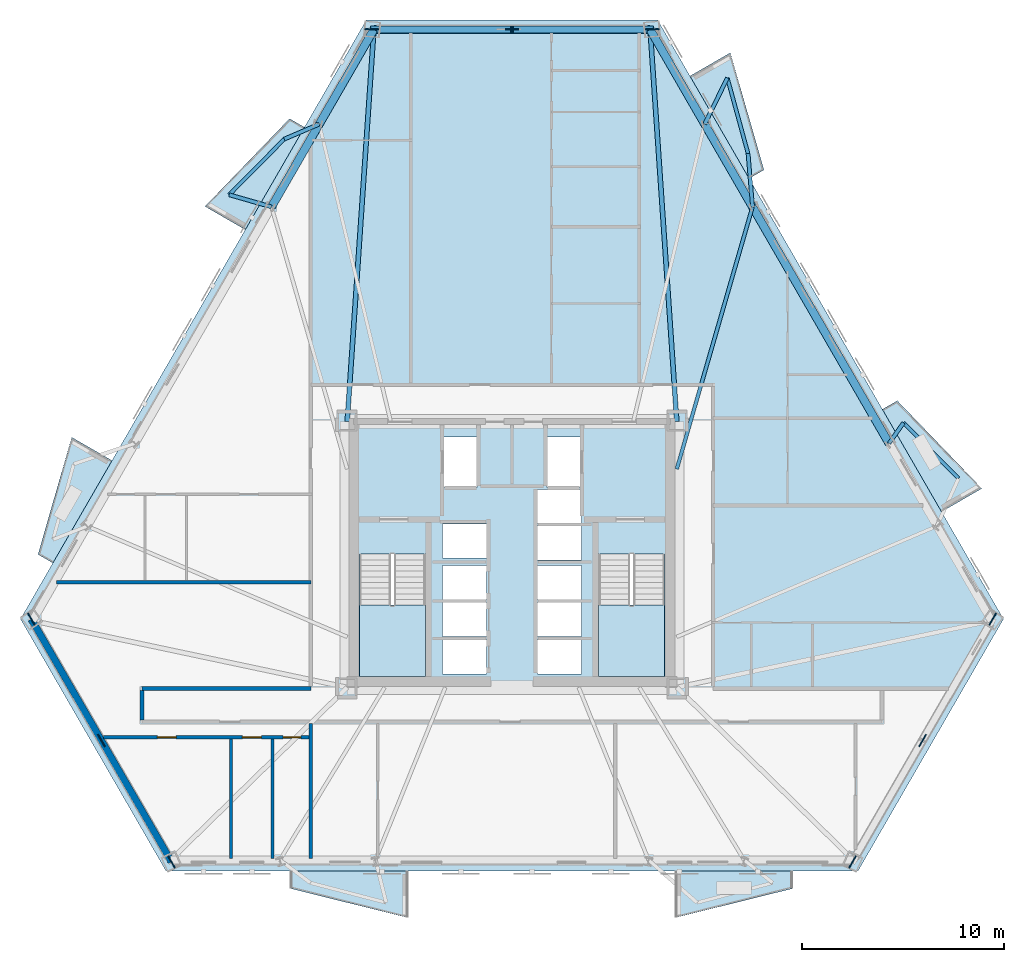
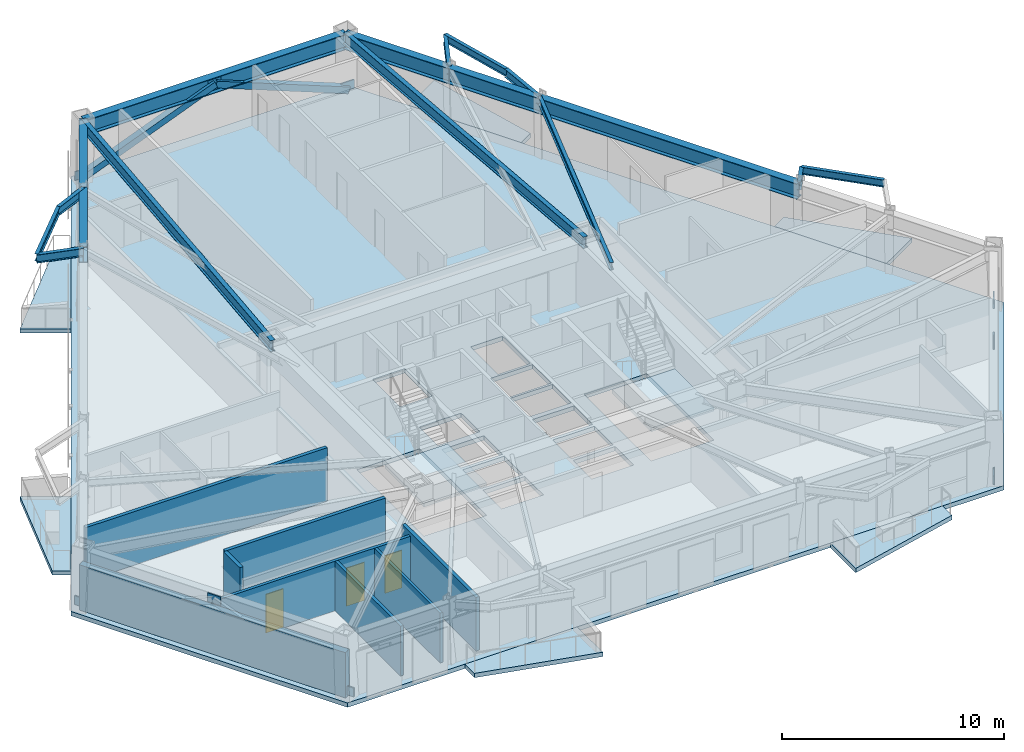
# One storey, part 2 of 10: 17 beams, 9 plates, 9 slabs, 8 walls, 3 doors, 2 members, 3 openings, 2 elements without a shape of their own.
"""IFC4 building model written with IfcOpenShell, lengths in metres."""

from ifc_helpers import new_model, si_unit, direction, frame, frame_2d, origin, origin_2d, place, context, subcontext, project, spatial, polyline, rectangle, hollow_rectangle, i_section, outline, extrude, material, layer, layer_set, material_profile, profile_set, type_object, element, fill, aggregate, save


model = new_model("IFC4")

# Units and contexts
model_context = context("Model", 3, precision=1e-05, world=origin(), true_north=direction((0.0, 1.0)))
body_context = subcontext(model_context, "Body", "Model", "MODEL_VIEW")
ifc_project = project(units=[si_unit("LENGTHUNIT", "METRE"), si_unit("AREAUNIT", "SQUARE_METRE"), si_unit("VOLUMEUNIT", "CUBIC_METRE"), si_unit("PLANEANGLEUNIT", "RADIAN"), si_unit("MASSUNIT", "GRAM", prefix="KILO")], contexts=[model_context])

# Site, building, storey
site_placement = place(None, origin())
site = spatial("IfcSite", under=ifc_project, at=site_placement, CompositionType="ELEMENT")
building_placement = place(site_placement, origin())
building = spatial("IfcBuilding", under=site, at=building_placement, Name="Oramaril Tower", CompositionType="ELEMENT")
storey_placement = place(building_placement, frame((0.0, 0.0, 63.300048828125)))
storey = spatial("IfcBuildingStorey", under=building, at=storey_placement, Name="L16", CompositionType="ELEMENT", Elevation=63.300048828125)

# Beams
ifc_material_1 = material(Name="Steel ASTM A572 Gr 50", Category="steel")
ifc_material_profile_1 = material_profile(ifc_material_1, i_section(OverallWidth=0.19091796875, OverallDepth=0.45703125, WebThickness=0.009033203125, FlangeThickness=0.014404296875, at=origin_2d()), Name="W18X50")
ifc_profile_set_1 = profile_set([ifc_material_profile_1], Name="Steel ASTM A572 Gr 50")
beam_type_1 = type_object("IfcBeamType", Name="BT-BB1", PredefinedType="BEAM", material=ifc_profile_set_1)
beam_1_placement = place(storey_placement, frame((56.14794921875, 23.069091796875, 3.13134765625), z_axis=(0.572804110253, 0.819692290605, 0.0), x_axis=(-0.819692290605, 0.572804110253, 0.0)))
element("IfcBeam", 1, at=beam_1_placement, inside=storey, type_object=beam_type_1, Name="L16 Balcony Column-Framed Cantilever 03.2", PredefinedType="BEAM", context=body_context, shape_type="SweptSolid", body=[
    extrude(i_section(OverallWidth=0.19091796875, OverallDepth=0.45703125, WebThickness=0.009033203125, FlangeThickness=0.014404296875, at=origin_2d()), origin(), (0.0, 0.0, 1.0), 1.244873046875),
])
beam_2_placement = place(storey_placement, frame((49.395263671875, 34.76513671875, 3.13134765625), z_axis=(-0.08375461363, 0.996486409689, 0.0), x_axis=(-0.996486409689, -0.08375461363, 0.0)))
element("IfcBeam", 2, at=beam_2_placement, inside=storey, type_object=beam_type_1, Name="L16 Balcony Column-Framed Cantilever 04.1", PredefinedType="BEAM", context=body_context, shape_type="SweptSolid", body=[
    extrude(i_section(OverallWidth=0.19091796875, OverallDepth=0.45703125, WebThickness=0.009033203125, FlangeThickness=0.014404296875, at=origin_2d()), origin(), (0.0, 0.0, 1.0), 2.649658203125),
])
beam_3_placement = place(storey_placement, frame((47.03173828125, 38.858642578125, 3.13134765625), z_axis=(0.440430843504, 0.897786540382, 0.0), x_axis=(-0.897786540382, 0.440430843504, 0.0)))
element("IfcBeam", 3, at=beam_3_placement, inside=storey, type_object=beam_type_1, Name="L16 Balcony Column-Framed Cantilever 04.2", PredefinedType="BEAM", context=body_context, shape_type="SweptSolid", body=[
    extrude(i_section(OverallWidth=0.19091796875, OverallDepth=0.45703125, WebThickness=0.009033203125, FlangeThickness=0.014404296875, at=origin_2d()), origin(), (0.0, 0.0, 1.0), 2.538818359375),
])
beam_4_placement = place(storey_placement, frame((27.96826171875, 38.858642578125, 3.13134765625), z_axis=(-0.918850033347, -0.394606913546, 0.0), x_axis=(0.394606913546, -0.918850033347, 0.0)))
element("IfcBeam", 4, at=beam_4_placement, inside=storey, type_object=beam_type_1, Name="L16 Balcony Column-Framed Cantilever 05.1", PredefinedType="BEAM", context=body_context, shape_type="SweptSolid", body=[
    extrude(i_section(OverallWidth=0.19091796875, OverallDepth=0.45703125, WebThickness=0.009033203125, FlangeThickness=0.014404296875, at=origin_2d()), origin(), (0.0, 0.0, 1.0), 1.88525390625),
])
beam_5_placement = place(storey_placement, frame((25.604736328125, 34.76513671875, 3.13134765625), z_axis=(-0.961498505592, 0.274810159462, 0.0), x_axis=(-0.274810159462, -0.961498505592, 0.0)))
element("IfcBeam", 5, at=beam_5_placement, inside=storey, type_object=beam_type_1, Name="L16 Balcony Column-Framed Cantilever 05.2", PredefinedType="BEAM", context=body_context, shape_type="SweptSolid", body=[
    extrude(i_section(OverallWidth=0.19091796875, OverallDepth=0.45703125, WebThickness=0.009033203125, FlangeThickness=0.014404296875, at=origin_2d()), origin(), (0.0, 0.0, 1.0), 2.173095703125),
])
ifc_material_2 = material(Name="Steel ASTM A572 Gr 50", Category="steel")
ifc_material_profile_2 = material_profile(ifc_material_2, i_section(OverallWidth=0.22900390625, OverallDepth=0.612060546875, WebThickness=0.011962890625, FlangeThickness=0.01953125, at=origin_2d()), Name="W24X84")
ifc_profile_set_2 = profile_set([ifc_material_profile_2], Name="Steel ASTM A572 Gr 50")
beam_type_2 = type_object("IfcBeamType", Name="BT-FB1", PredefinedType="BEAM", material=ifc_profile_set_2)
for number, where, z_axis, x_axis, name in (
    (6, (45.64990234375, 24.14990234375, 3.053955078125), (-0.067882345792, 0.997693333209, 0.0), (-0.997693333209, -0.067882345792, 0.0), "L16 Radial Primary Beam RB-05"),
    (7, (29.35009765625, 24.14990234375, 3.053955078125), (0.067882345792, 0.997693333209, 0.0), (-0.997693333209, 0.067882345792, 0.0), "L16 Radial Primary Beam RB-06"),
):
    element("IfcBeam", number, at=place(storey_placement, frame(where, z_axis=z_axis, x_axis=x_axis)), inside=storey, type_object=beam_type_2, Name=name, PredefinedType="BEAM", context=body_context, shape_type="SweptSolid", body=[
        extrude(i_section(OverallWidth=0.22900390625, OverallDepth=0.612060546875, WebThickness=0.011962890625, FlangeThickness=0.01953125, at=origin_2d()), origin(), (0.0, 0.0, 1.0), 19.43212890625),
    ])
ifc_material_3 = material(Name="Steel ASTM A572 Gr 50", Category="steel")
ifc_material_profile_3 = material_profile(ifc_material_3, i_section(OverallWidth=0.177978515625, OverallDepth=0.404052734375, WebThickness=0.007568359375, FlangeThickness=0.010986328125, at=origin_2d()), Name="W16X36")
ifc_profile_set_3 = profile_set([ifc_material_profile_3], Name="Steel ASTM A572 Gr 50")
beam_type_3 = type_object("IfcBeamType", Name="BT-SB1", PredefinedType="BEAM", material=ifc_profile_set_3)
beam_6_placement = place(storey_placement, frame((45.64990234375, 21.800048828125, 3.157958984375), z_axis=(0.277532231758, 0.960716326673, 0.0), x_axis=(-0.960716326673, 0.277532231758, 0.0)))
element("IfcBeam", 8, at=beam_6_placement, inside=storey, type_object=beam_type_3, Name="L16 Secondary Floor Beam SB-06", PredefinedType="BEAM", context=body_context, shape_type="SweptSolid", body=[
    extrude(i_section(OverallWidth=0.177978515625, OverallDepth=0.404052734375, WebThickness=0.007568359375, FlangeThickness=0.010986328125, at=origin_2d()), origin(), (0.0, 0.0, 1.0), 13.4951171875),
])
beam_7_placement = place(storey_placement, frame((59.581787109375, 21.33740234375, 3.157958984375), z_axis=(-0.703026051641, 0.71116409549, 0.0), x_axis=(-0.71116409549, -0.703026051641, 0.0)))
element("IfcBeam", 9, at=beam_7_placement, inside=storey, type_object=beam_type_3, Name="L16 Balcony Edge Tie Beam 03", PredefinedType="BEAM", context=body_context, shape_type="SweptSolid", body=[
    extrude(i_section(OverallWidth=0.177978515625, OverallDepth=0.404052734375, WebThickness=0.007568359375, FlangeThickness=0.010986328125, at=origin_2d()), origin(), (0.0, 0.0, 1.0), 3.869873046875),
])
for number, where, z_axis, x_axis, name in (
    (10, (49.17333984375, 37.405517578125, 3.157958984375), (-0.264440915482, 0.964401888332, 0.0), (-0.964401888332, -0.264440915482, 0.0), "L16 Balcony Edge Tie Beam 04"),
    (11, (26.236083984375, 38.11474609375, 3.157958984375), (-0.702994511648, -0.71119527318, 0.0), (0.71119527318, -0.702994511648, 0.0), "L16 Balcony Edge Tie Beam 05"),
):
    element("IfcBeam", number, at=place(storey_placement, frame(where, z_axis=z_axis, x_axis=x_axis)), inside=storey, type_object=beam_type_3, Name=name, PredefinedType="BEAM", context=body_context, shape_type="SweptSolid", body=[
        extrude(i_section(OverallWidth=0.177978515625, OverallDepth=0.404052734375, WebThickness=0.007568359375, FlangeThickness=0.010986328125, at=origin_2d()), origin(), (0.0, 0.0, 1.0), 3.8701171875),
    ])
ifc_material_4 = material(Name="Steel ASTM A572 Gr 50", Category="steel")
ifc_material_profile_4 = material_profile(ifc_material_4, i_section(OverallWidth=0.40087890625, OverallDepth=0.85595703125, WebThickness=0.018310546875, FlangeThickness=0.029296875, at=origin_2d()), Name="W33X201")
ifc_profile_set_4 = profile_set([ifc_material_profile_4], Name="Steel ASTM A572 Gr 50")
beam_type_4 = type_object("IfcBeamType", Name="BT-SP1", PredefinedType="SPANDREL", material=ifc_profile_set_4)
beam_8_placement = place(storey_placement, frame((56.14794921875, 23.069091796875, 2.931884765625), z_axis=(-0.499998381913, 0.866026337985, 0.0), x_axis=(-0.866026337985, -0.499998381913, 0.0)))
element("IfcBeam", 12, at=beam_8_placement, inside=storey, type_object=beam_type_4, Name="L16 Perimeter Spandrel 10", PredefinedType="SPANDREL", context=body_context, shape_type="SweptSolid", body=[
    extrude(i_section(OverallWidth=0.40087890625, OverallDepth=0.85595703125, WebThickness=0.018310546875, FlangeThickness=0.029296875, at=origin_2d()), origin(), (0.0, 0.0, 1.0), 13.50537109375),
])
beam_9_placement = place(storey_placement, frame((49.395263671875, 34.76513671875, 2.931884765625), z_axis=(-0.50002200408, 0.86601269935, 0.0), x_axis=(-0.86601269935, -0.50002200408, 0.0)))
element("IfcBeam", 13, at=beam_9_placement, inside=storey, type_object=beam_type_4, Name="L16 Perimeter Spandrel 11", PredefinedType="SPANDREL", context=body_context, shape_type="SweptSolid", body=[
    extrude(i_section(OverallWidth=0.40087890625, OverallDepth=0.85595703125, WebThickness=0.018310546875, FlangeThickness=0.029296875, at=origin_2d()), origin(), (0.0, 0.0, 1.0), 4.726806640625),
])
beam_10_placement = place(storey_placement, frame((47.03173828125, 38.858642578125, 2.931884765625), z_axis=(-0.499974130811, 0.866040338853, 0.0), x_axis=(-0.866040338853, -0.499974130811, 0.0)))
element("IfcBeam", 14, at=beam_10_placement, inside=storey, type_object=beam_type_4, Name="L16 Perimeter Spandrel 12", PredefinedType="SPANDREL", context=body_context, shape_type="SweptSolid", body=[
    extrude(i_section(OverallWidth=0.40087890625, OverallDepth=0.85595703125, WebThickness=0.018310546875, FlangeThickness=0.029296875, at=origin_2d()), origin(), (0.0, 0.0, 1.0), 5.402099609375),
])
beam_11_placement = place(storey_placement, frame((44.330810546875, 43.537109375, 2.931884765625), z_axis=(-1.0, 0.0, 0.0), x_axis=(0.0, -1.0, 0.0)))
element("IfcBeam", 15, at=beam_11_placement, inside=storey, type_object=beam_type_4, Name="L16 Perimeter Spandrel 13", PredefinedType="SPANDREL", context=body_context, shape_type="SweptSolid", body=[
    extrude(i_section(OverallWidth=0.40087890625, OverallDepth=0.85595703125, WebThickness=0.018310546875, FlangeThickness=0.029296875, at=origin_2d()), origin(), (0.0, 0.0, 1.0), 13.66162109375),
])
beam_12_placement = place(storey_placement, frame((30.669189453125, 43.537109375, 2.931884765625), z_axis=(-0.499974130811, -0.866040338853, 0.0), x_axis=(0.866040338853, -0.499974130811, 0.0)))
element("IfcBeam", 16, at=beam_12_placement, inside=storey, type_object=beam_type_4, Name="L16 Perimeter Spandrel 14", PredefinedType="SPANDREL", context=body_context, shape_type="SweptSolid", body=[
    extrude(i_section(OverallWidth=0.40087890625, OverallDepth=0.85595703125, WebThickness=0.018310546875, FlangeThickness=0.029296875, at=origin_2d()), origin(), (0.0, 0.0, 1.0), 5.402099609375),
])
beam_13_placement = place(storey_placement, frame((27.96826171875, 38.858642578125, 2.931884765625), z_axis=(-0.50002200408, -0.86601269935, 0.0), x_axis=(0.86601269935, -0.50002200408, 0.0)))
element("IfcBeam", 17, at=beam_13_placement, inside=storey, type_object=beam_type_4, Name="L16 Perimeter Spandrel 15", PredefinedType="SPANDREL", context=body_context, shape_type="SweptSolid", body=[
    extrude(i_section(OverallWidth=0.40087890625, OverallDepth=0.85595703125, WebThickness=0.018310546875, FlangeThickness=0.029296875, at=origin_2d()), origin(), (0.0, 0.0, 1.0), 4.726806640625),
])

# Members
ifc_material_5 = material(Name="Steel ASTM A572 Gr 50", Category="steel")
ifc_material_profile_5 = material_profile(ifc_material_5, hollow_rectangle(XDim=0.35009765625, YDim=0.35009765625, WallThickness=0.01611328125, at=origin_2d()), Name="HSS350X350X16")
ifc_profile_set_5 = profile_set([ifc_material_profile_5], Name="Steel ASTM A572 Gr 50")
member_type = type_object("IfcMemberType", Name="MT-KB1", PredefinedType="BRACE", material=ifc_profile_set_5)
for number, where, z_axis, x_axis, name in (
    (18, (44.435791015625, 43.54638671875, 0.179931640625), (-0.929506556891, 0.0, 0.368805586585), (0.0, -1.0, 0.0), "L16 Perimeter Chevron Brace KB-3A"),
    (19, (30.564208984375, 43.54638671875, 0.179931640625), (0.929506556891, 0.0, 0.368805586585), (0.0, 1.0, 0.0), "L16 Perimeter Chevron Brace KB-3B"),
):
    element("IfcMember", number, at=place(storey_placement, frame(where, z_axis=z_axis, x_axis=x_axis)), inside=storey, type_object=member_type, Name=name, PredefinedType="BRACE", context=body_context, shape_type="SweptSolid", body=[
        extrude(hollow_rectangle(XDim=0.35009765625, YDim=0.35009765625, WallThickness=0.01611328125, at=origin_2d()), origin(), (0.0, 0.0, 1.0), 7.4619140625),
    ])

# Plates
ifc_material_6 = material(Name="Steel ASTM A572 Gr 50", Category="steel")
ifc_layer_1 = layer(ifc_material_6, 0.06005859375)
ifc_layer_set_1 = layer_set([ifc_layer_1], Name="PLT-G60")
plate_type = type_object("IfcPlateType", Name="PLT-G60", PredefinedType="USERDEFINED", material=ifc_layer_set_1)
for number, where, z_axis, x_axis, name in (
    (20, (17.194580078125, 8.376708984375, 2.69189453125), (0.0, 0.0, 1.0), (0.500003022996, -0.86602365845, 0.0), "L16 Chevron Brace Gusset Plate BN-1"),
    (21, (13.726806640625, 14.38330078125, 0.099853515625), (0.0, 0.0, 1.0), (0.500003022996, -0.86602365845, 0.0), "L16 Chevron Brace Gusset Plate BN-1"),
    (22, (20.66259765625, 2.370361328125, 0.099853515625), (0.0, 0.0, 1.0), (0.500003022996, -0.86602365845, 0.0), "L16 Chevron Brace Gusset Plate BN-1"),
    (23, (57.805419921875, 8.376708984375, 2.69189453125), (0.0, 0.0, 1.0), (0.500003022996, 0.86602365845, 0.0), "L16 Chevron Brace Gusset Plate BN-1"),
    (24, (54.33740234375, 2.370361328125, 0.099853515625), (0.0, 0.0, 1.0), (0.500003022996, 0.86602365845, 0.0), "L16 Chevron Brace Gusset Plate BN-1"),
    (25, (61.273193359375, 14.38330078125, 0.099853515625), (0.0, 0.0, 1.0), (0.500003022996, 0.86602365845, 0.0), "L16 Chevron Brace Gusset Plate BN-1"),
    (26, (37.5, 43.54638671875, 2.69189453125), (0.0, 0.0, 1.0), (-1.0, 0.0, 0.0), "L16 Chevron Brace Gusset Plate BN-1"),
    (27, (44.435791015625, 43.54638671875, 0.099853515625), (0.0, 0.0, 1.0), (-1.0, 0.0, 0.0), "L16 Chevron Brace Gusset Plate BN-1"),
    (28, (30.564208984375, 43.54638671875, 0.099853515625), (0.0, 0.0, 1.0), (-1.0, 0.0, 0.0), "L16 Chevron Brace Gusset Plate BN-1"),
):
    element("IfcPlate", number, at=place(storey_placement, frame(where, z_axis=z_axis, x_axis=x_axis)), inside=storey, type_object=plate_type, Name=name, ObjectType="GUSSET", PredefinedType="USERDEFINED", context=body_context, shape_type="SweptSolid", body=[
        extrude(rectangle(XDim=0.679931640625, YDim=0.06005859375, at=origin_2d()), origin(), (0.0, 0.0, 1.0), 0.47998046875),
    ])

# Slabs
ifc_material_7 = material(Name="Concrete C40/50", Category="concrete")
ifc_layer_2 = layer(ifc_material_7, 0.199951171875)
ifc_layer_set_2 = layer_set([ifc_layer_2], Name="SLT-BAL20")
slab_type_1 = type_object("IfcSlabType", Name="SLT-BAL20", PredefinedType="FLOOR", material=ifc_layer_set_2)
slab_1_placement = place(storey_placement, frame((0.0, 0.0, -0.239990234375)))
element("IfcSlab", 29, at=slab_1_placement, inside=storey, type_object=slab_type_1, Name="L16 Cantilevered Balcony Slab L16-BAL-S1", PredefinedType="FLOOR", context=body_context, shape_type="SweptSolid", body=[
    extrude(outline(polyline([(26.52197265625, 1.912353515625), (32.3720703125, 1.912353515625), (32.3720703125, -0.3896484375), (26.52197265625, 1.060302734375), (26.52197265625, 1.912353515625)])), origin(), (0.0, 0.0, 1.0), 0.239990234375),
])
slab_2_placement = place(storey_placement, frame((0.0, 0.0, -0.239990234375)))
element("IfcSlab", 30, at=slab_2_placement, inside=storey, type_object=slab_type_1, Name="L16 Cantilevered Balcony Slab L16-BAL-NE2", PredefinedType="FLOOR", context=body_context, shape_type="SweptSolid", body=[
    extrude(outline(polyline([(49.224609375, 36.16796875), (46.299560546875, 41.234130859375), (48.293212890625, 42.38525390625), (49.96240234375, 36.593994140625), (49.224609375, 36.16796875)])), origin(), (0.0, 0.0, 1.0), 0.239990234375),
])
slab_3_placement = place(storey_placement, frame((0.0, 0.0, -0.239990234375)))
element("IfcSlab", 31, at=slab_3_placement, inside=storey, type_object=slab_type_1, Name="L16 Cantilevered Balcony Slab L16-BAL-NW1", PredefinedType="FLOOR", context=body_context, shape_type="SweptSolid", body=[
    extrude(outline(polyline([(27.23779296875, 38.701171875), (24.31298828125, 33.634765625), (22.3193359375, 34.785888671875), (26.5, 39.127197265625), (27.23779296875, 38.701171875)])), origin(), (0.0, 0.0, 1.0), 0.239990234375),
])
ifc_material_8 = material(Name="Concrete C50/60", Category="concrete")
ifc_layer_3 = layer(ifc_material_8, 0.239990234375)
ifc_layer_set_3 = layer_set([ifc_layer_3], Name="SLT-FLR24")
slab_type_2 = type_object("IfcSlabType", Name="SLT-FLR24", PredefinedType="FLOOR", material=ifc_layer_set_3)
slab_4_placement = place(storey_placement, frame((0.0, 0.0, -0.239990234375)))
element("IfcSlab", 32, at=slab_4_placement, inside=storey, type_object=slab_type_2, Name="L16 Structural Floor Slab", PredefinedType="FLOOR", context=body_context, shape_type="SweptSolid", body=[
    extrude(outline(polyline([(13.19580078125, 14.38330078125), (20.39697265625, 1.910400390625), (54.60302734375, 1.910400390625), (61.80419921875, 14.38330078125), (44.701416015625, 44.006591796875), (30.298583984375, 44.006591796875), (13.19580078125, 14.38330078125)]), holes=[polyline([(29.949951171875, 17.58935546875), (29.949951171875, 11.550048828125), (33.219970703125, 11.550048828125), (33.219970703125, 17.58935546875), (29.949951171875, 17.58935546875)]), polyline([(41.780029296875, 17.58935546875), (41.780029296875, 11.550048828125), (45.050048828125, 11.550048828125), (45.050048828125, 17.58935546875), (41.780029296875, 17.58935546875)]), polyline([(34.110107421875, 20.909912109375), (35.7900390625, 20.909912109375), (35.7900390625, 23.389892578125), (34.110107421875, 23.389892578125), (34.110107421875, 20.909912109375)]), polyline([(39.2099609375, 20.909912109375), (40.889892578125, 20.909912109375), (40.889892578125, 23.389892578125), (39.2099609375, 23.389892578125), (39.2099609375, 20.909912109375)]), polyline([(34.06005859375, 11.659912109375), (36.239990234375, 11.659912109375), (36.239990234375, 13.340087890625), (34.06005859375, 13.340087890625), (34.06005859375, 11.659912109375)]), polyline([(34.06005859375, 13.510009765625), (36.239990234375, 13.510009765625), (36.239990234375, 15.18994140625), (34.06005859375, 15.18994140625), (34.06005859375, 13.510009765625)]), polyline([(34.06005859375, 15.360107421875), (36.239990234375, 15.360107421875), (36.239990234375, 17.0400390625), (34.06005859375, 17.0400390625), (34.06005859375, 15.360107421875)]), polyline([(38.760009765625, 11.659912109375), (40.93994140625, 11.659912109375), (40.93994140625, 13.340087890625), (38.760009765625, 13.340087890625), (38.760009765625, 11.659912109375)]), polyline([(38.760009765625, 13.510009765625), (40.93994140625, 13.510009765625), (40.93994140625, 15.18994140625), (38.760009765625, 15.18994140625), (38.760009765625, 13.510009765625)]), polyline([(38.760009765625, 15.360107421875), (40.93994140625, 15.360107421875), (40.93994140625, 17.0400390625), (38.760009765625, 17.0400390625), (38.760009765625, 15.360107421875)]), polyline([(34.06005859375, 17.409912109375), (36.239990234375, 17.409912109375), (36.239990234375, 19.090087890625), (34.06005859375, 19.090087890625), (34.06005859375, 17.409912109375)]), polyline([(38.760009765625, 17.31005859375), (40.93994140625, 17.31005859375), (40.93994140625, 18.989990234375), (38.760009765625, 18.989990234375), (38.760009765625, 17.31005859375)]), polyline([(38.760009765625, 19.110107421875), (40.93994140625, 19.110107421875), (40.93994140625, 20.7900390625), (38.760009765625, 20.7900390625), (38.760009765625, 19.110107421875)])]), origin(), (0.0, 0.0, 1.0), 0.239990234375),
])

# Stair, slab
ifc_material_9 = material(Name="Concrete C50/60", Category="concrete")
stair_type = type_object("IfcStairType", Name="STT-DG-3600", PredefinedType="HALF_TURN_STAIR", material=ifc_material_9)
stair_1_placement = place(storey_placement, origin())
stair_1 = element("IfcStair", 33, at=stair_1_placement, inside=storey, type_object=stair_type, Name="L16 Protected PFP Exit Stair ST-1", PredefinedType="HALF_TURN_STAIR")
ifc_material_10 = material(Name="Concrete C50/60", Category="concrete")
ifc_layer_4 = layer(ifc_material_10, 0.199951171875)
ifc_layer_set_4 = layer_set([ifc_layer_4], Name="SLT-LND20")
slab_type_3 = type_object("IfcSlabType", Name="SLT-LND20", PredefinedType="LANDING", material=ifc_layer_set_4)
slab_5_placement = place(storey_placement, frame((0.0, 0.0, 1.599853515625)))
slab_5 = element("IfcSlab", 34, at=slab_5_placement, type_object=slab_type_3, Name="ST-1 landing 1", PredefinedType="LANDING", context=body_context, shape_type="SweptSolid", body=[
    extrude(outline(polyline([(29.949951171875, 15.070068359375), (29.949951171875, 11.550048828125), (33.219970703125, 11.550048828125), (33.219970703125, 15.070068359375), (29.949951171875, 15.070068359375)])), origin(), (0.0, 0.0, 1.0), 0.2001953125),
])
aggregate(stair_1, [slab_5])

stair_2_placement = place(storey_placement, origin())
stair_2 = element("IfcStair", 35, at=stair_2_placement, inside=storey, type_object=stair_type, Name="L16 Protected PFP Exit Stair ST-2", PredefinedType="HALF_TURN_STAIR")
slab_6_placement = place(storey_placement, frame((0.0, 0.0, 1.599853515625)))
slab_6 = element("IfcSlab", 36, at=slab_6_placement, type_object=slab_type_3, Name="ST-2 landing 1", PredefinedType="LANDING", context=body_context, shape_type="SweptSolid", body=[
    extrude(outline(polyline([(41.780029296875, 15.070068359375), (41.780029296875, 11.550048828125), (45.050048828125, 11.550048828125), (45.050048828125, 15.070068359375), (41.780029296875, 15.070068359375)])), origin(), (0.0, 0.0, 1.0), 0.2001953125),
])
aggregate(stair_2, [slab_6])

# Slabs
ifc_material_11 = material(Name="Concrete C40/50", Category="concrete")
ifc_layer_5 = layer(ifc_material_11, 0.18994140625)
ifc_layer_set_5 = layer_set([ifc_layer_5], Name="SLT-PLN19")
slab_type_4 = type_object("IfcSlabType", Name="SLT-PLN19", PredefinedType="FLOOR", material=ifc_layer_set_5)
slab_7_placement = place(storey_placement, frame((0.0, 0.0, -0.239990234375)))
element("IfcSlab", 37, at=slab_7_placement, inside=storey, type_object=slab_type_4, Name="L16 Tree Planter Balcony Slab L16-BAL-S2", PredefinedType="FLOOR", context=body_context, shape_type="SweptSolid", body=[
    extrude(outline(polyline([(45.552978515625, 1.912353515625), (51.403076171875, 1.912353515625), (51.403076171875, 1.060302734375), (45.552978515625, -0.3896484375), (45.552978515625, 1.912353515625)])), origin(), (0.0, 0.0, 1.0), 0.239990234375),
])
slab_8_placement = place(storey_placement, frame((0.0, 0.0, -0.239990234375)))
element("IfcSlab", 38, at=slab_8_placement, inside=storey, type_object=slab_type_4, Name="L16 Tree Planter Balcony Slab L16-BAL-NE1", PredefinedType="FLOOR", context=body_context, shape_type="SweptSolid", body=[
    extrude(outline(polyline([(58.739990234375, 19.6865234375), (55.815185546875, 24.7529296875), (56.552978515625, 25.178955078125), (60.733642578125, 20.837646484375), (58.739990234375, 19.6865234375)])), origin(), (0.0, 0.0, 1.0), 0.239990234375),
])
slab_9_placement = place(storey_placement, frame((0.0, 0.0, -0.239990234375)))
element("IfcSlab", 39, at=slab_9_placement, inside=storey, type_object=slab_type_4, Name="L16 Tree Planter Balcony Slab L16-BAL-NW2", PredefinedType="FLOOR", context=body_context, shape_type="SweptSolid", body=[
    extrude(outline(polyline([(17.722412109375, 22.2197265625), (14.79736328125, 17.153564453125), (14.0595703125, 17.57958984375), (15.728759765625, 23.37060546875), (17.722412109375, 22.2197265625)])), origin(), (0.0, 0.0, 1.0), 0.239990234375),
])

# Walls
ifc_material_12 = material(Name="Warm Cream Limestone", Category="masonry")
ifc_layer_6 = layer(ifc_material_12, 0.340087890625)
ifc_layer_set_6 = layer_set([ifc_layer_6], Name="WT-EXT34")
wall_type_1 = type_object("IfcWallType", Name="WT-EXT34", PredefinedType="SOLIDWALL", material=ifc_layer_set_6)
wall_1_placement = place(storey_placement, frame((13.726806640625, 14.38330078125, 0.0), z_axis=(0.0, 0.0, 1.0), x_axis=(0.500006336147, -0.866021745577, 0.0)))
element("IfcWall", 40, at=wall_1_placement, inside=storey, type_object=wall_type_1, Name="L16 Tower Limestone Facade Wall 1M", PredefinedType="SOLIDWALL", context=body_context, shape_type="SweptSolid", body=[
    extrude(rectangle(XDim=13.871337890625, YDim=0.340087890625, at=frame_2d((6.935546875, 0.0))), origin(), (0.0, 0.0, 1.0), 2.493896484375),
])
ifc_material_13 = material(Name="Acoustic Gypsum Board Partition")
ifc_layer_7 = layer(ifc_material_13, 0.139892578125)
ifc_layer_set_7 = layer_set([ifc_layer_7], Name="WT-PT14")
wall_type_2 = type_object("IfcWallType", Name="WT-PT14", PredefinedType="PARTITIONING", material=ifc_layer_set_7)
wall_2_placement = place(storey_placement, frame((25.659912109375, 2.544189453125, 0.0), z_axis=(0.0, 0.0, 1.0), x_axis=(0.0, 1.0, 0.0)))
element("IfcWall", 41, at=wall_2_placement, inside=storey, type_object=wall_type_2, Name="L16 Interior Partition PT-14", PredefinedType="PARTITIONING", context=body_context, shape_type="SweptSolid", body=[
    extrude(rectangle(XDim=5.911865234375, YDim=0.139892578125, at=frame_2d((2.9560546875, 0.0))), origin(), (0.0, 0.0, 1.0), 2.738037109375),
])

# Wall, openings, doors
ifc_material_14 = material(Name="Acoustic Gypsum Board Partition")
ifc_layer_8 = layer(ifc_material_14, 0.159912109375)
ifc_layer_set_8 = layer_set([ifc_layer_8], Name="WT-PT16")
wall_type_3 = type_object("IfcWallType", Name="WT-PT16", PredefinedType="PARTITIONING", material=ifc_layer_set_8)
wall_3_placement = place(storey_placement, frame((17.301513671875, 8.5400390625, 0.0), z_axis=(0.0, 0.0, 1.0), x_axis=(1.0, 0.0, 0.0)))
wall_3 = element("IfcWall", 42, at=wall_3_placement, inside=storey, type_object=wall_type_3, Name="L16 Interior Partition PT-16", PredefinedType="PARTITIONING", context=body_context, shape_type="SweptSolid", body=[
    extrude(rectangle(XDim=10.298583984375, YDim=0.159912109375, at=frame_2d((5.1494140625, 0.0))), origin(), (0.0, 0.0, 1.0), 2.738037109375),
])
opening_1_placement = place(wall_3_placement, frame((2.66552734375, 0.0, 0.0)))
opening_1 = element("IfcOpeningElement", 43, at=opening_1_placement, cuts=wall_3, Name="Opening D-L16-01", PredefinedType="OPENING", context=body_context, shape_type="SweptSolid", body=[
    extrude(rectangle(XDim=0.919921875, YDim=2.1201171875, at=frame_2d((0.4599609375, 1.06005859375))), frame((0.0, 0.080078125, 0.0), z_axis=(0.0, -1.0, 0.0), x_axis=(1.0, 0.0, 0.0)), (0.0, 0.0, 1.0), 0.159912109375),
])
opening_2_placement = place(wall_3_placement, frame((6.858642578125, 0.0, 0.0)))
opening_2 = element("IfcOpeningElement", 44, at=opening_2_placement, cuts=wall_3, Name="Opening D-L16-02", PredefinedType="OPENING", context=body_context, shape_type="SweptSolid", body=[
    extrude(rectangle(XDim=0.949951171875, YDim=2.10009765625, at=frame_2d((0.47509765625, 1.050048828125))), frame((0.0, 0.080078125, 0.0), z_axis=(0.0, -1.0, 0.0), x_axis=(1.0, 0.0, 0.0)), (0.0, 0.0, 1.0), 0.159912109375),
])
opening_3_placement = place(wall_3_placement, frame((8.878662109375, 0.0, 0.0)))
opening_3 = element("IfcOpeningElement", 45, at=opening_3_placement, cuts=wall_3, Name="Opening D-L16-03", PredefinedType="OPENING", context=body_context, shape_type="SweptSolid", body=[
    extrude(rectangle(XDim=0.8798828125, YDim=2.080078125, at=frame_2d((0.43994140625, 1.0400390625))), frame((0.0, 0.080078125, 0.0), z_axis=(0.0, -1.0, 0.0), x_axis=(1.0, 0.0, 0.0)), (0.0, 0.0, 1.0), 0.159912109375),
])
ifc_material_15 = material(Name="FSC Brazilian Freijo Hardwood", Category="wood")
door_type_1 = type_object("IfcDoorType", Name="DT-BATH", OperationType="NOTDEFINED", PredefinedType="DOOR", material=ifc_material_15)
door_1_placement = place(opening_3_placement, origin())
door_1 = element("IfcDoor", 46, at=door_1_placement, inside=storey, type_object=door_type_1, Name="L16 Flat L16-U3 Bathroom Door D-L16-03", OperationType="SINGLE_SWING_RIGHT", OverallHeight=2.080078125, OverallWidth=0.8798828125, PredefinedType="DOOR", context=body_context, shape_type="SweptSolid", body=[
    extrude(rectangle(XDim=0.8798828125, YDim=2.080078125, at=frame_2d((0.43994140625, 1.0400390625))), frame((0.0, 0.02490234375, 0.0), z_axis=(0.0, -1.0, 0.0), x_axis=(1.0, 0.0, 0.0)), (0.0, 0.0, 1.0), 0.050048828125),
])
fill(opening_3, door_1)
ifc_material_16 = material(Name="FSC Brazilian Freijo Hardwood", Category="wood")
door_type_2 = type_object("IfcDoorType", Name="DT-BED", OperationType="NOTDEFINED", PredefinedType="DOOR", material=ifc_material_16)
door_2_placement = place(opening_1_placement, origin())
door_2 = element("IfcDoor", 47, at=door_2_placement, inside=storey, type_object=door_type_2, Name="L16 Flat L16-U3 Master Bedroom Door D-L16-01", OperationType="SINGLE_SWING_RIGHT", OverallHeight=2.1201171875, OverallWidth=0.919921875, PredefinedType="DOOR", context=body_context, shape_type="SweptSolid", body=[
    extrude(rectangle(XDim=0.919921875, YDim=2.1201171875, at=frame_2d((0.4599609375, 1.06005859375))), frame((0.0, 0.02490234375, 0.0), z_axis=(0.0, -1.0, 0.0), x_axis=(1.0, 0.0, 0.0)), (0.0, 0.0, 1.0), 0.050048828125),
])
fill(opening_1, door_2)
ifc_material_17 = material(Name="FSC Brazilian Freijo Hardwood", Category="wood")
door_type_3 = type_object("IfcDoorType", Name="DT-STDY", OperationType="NOTDEFINED", PredefinedType="DOOR", material=ifc_material_17)
door_3_placement = place(opening_2_placement, origin())
door_3 = element("IfcDoor", 48, at=door_3_placement, inside=storey, type_object=door_type_3, Name="L16 Flat L16-U3 Kitchen Door D-L16-02", OperationType="SINGLE_SWING_LEFT", OverallHeight=2.10009765625, OverallWidth=0.949951171875, PredefinedType="DOOR", context=body_context, shape_type="SweptSolid", body=[
    extrude(rectangle(XDim=0.949951171875, YDim=2.10009765625, at=frame_2d((0.47509765625, 1.050048828125))), frame((0.0, 0.02490234375, 0.0), z_axis=(0.0, -1.0, 0.0), x_axis=(1.0, 0.0, 0.0)), (0.0, 0.0, 1.0), 0.050048828125),
])
fill(opening_2, door_3)

# Walls
wall_4_placement = place(storey_placement, frame((23.610107421875, 2.544189453125, 0.0), z_axis=(0.0, 0.0, 1.0), x_axis=(0.0, 1.0, 0.0)))
element("IfcWall", 49, at=wall_4_placement, inside=storey, type_object=wall_type_3, Name="L16 Interior Partition PT-16", PredefinedType="PARTITIONING", context=body_context, shape_type="SweptSolid", body=[
    extrude(rectangle(XDim=5.911865234375, YDim=0.159912109375, at=frame_2d((2.9560546875, 0.0))), origin(), (0.0, 0.0, 1.0), 2.738037109375),
])
ifc_material_18 = material(Name="Autoclaved Cellular Concrete Block", Category="concrete")
ifc_layer_9 = layer(ifc_material_18, 0.179931640625)
ifc_layer_set_9 = layer_set([ifc_layer_9], Name="WT-PT18")
wall_type_4 = type_object("IfcWallType", Name="WT-PT18", PredefinedType="PARTITIONING", material=ifc_layer_set_9)
wall_5_placement = place(storey_placement, frame((19.199951171875, 10.949951171875, 0.0), z_axis=(0.0, 0.0, 1.0), x_axis=(1.0, 0.0, 0.0)))
element("IfcWall", 50, at=wall_5_placement, inside=storey, type_object=wall_type_4, Name="L16 Interior Partition PT-18", PredefinedType="PARTITIONING", context=body_context, shape_type="SweptSolid", body=[
    extrude(rectangle(XDim=8.35009765625, YDim=0.179931640625, at=frame_2d((4.175048828125, 0.0))), origin(), (0.0, 0.0, 1.0), 3.35986328125),
])
wall_6_placement = place(storey_placement, frame((14.976806640625, 16.199951171875, 0.0), z_axis=(0.0, 0.0, 1.0), x_axis=(1.0, 0.0, 0.0)))
element("IfcWall", 51, at=wall_6_placement, inside=storey, type_object=wall_type_4, Name="L16 Interior Partition PT-18", PredefinedType="PARTITIONING", context=body_context, shape_type="SweptSolid", body=[
    extrude(rectangle(XDim=12.5732421875, YDim=0.179931640625, at=frame_2d((6.28662109375, 0.0))), origin(), (0.0, 0.0, 1.0), 2.946044921875),
])
wall_7_placement = place(storey_placement, frame((19.199951171875, 9.39404296875, 0.0), z_axis=(0.0, 0.0, 1.0), x_axis=(0.0, 1.0, 0.0)))
element("IfcWall", 52, at=wall_7_placement, inside=storey, type_object=wall_type_4, Name="L16 Interior Partition PT-18", PredefinedType="PARTITIONING", context=body_context, shape_type="SweptSolid", body=[
    extrude(rectangle(XDim=1.4619140625, YDim=0.179931640625, at=frame_2d((0.73095703125, 0.0))), origin(), (0.0, 0.0, 1.0), 3.35986328125),
])
wall_8_placement = place(storey_placement, frame((27.550048828125, 2.544189453125, 0.0), z_axis=(0.0, 0.0, 1.0), x_axis=(0.0, 1.0, 0.0)))
element("IfcWall", 53, at=wall_8_placement, inside=storey, type_object=wall_type_4, Name="L16 Interior Partition PT-18", PredefinedType="PARTITIONING", context=body_context, shape_type="SweptSolid", body=[
    extrude(rectangle(XDim=6.661865234375, YDim=0.179931640625, at=frame_2d((3.3310546875, 0.0))), origin(), (0.0, 0.0, 1.0), 2.946044921875),
])

save(model, "model.ifc")
